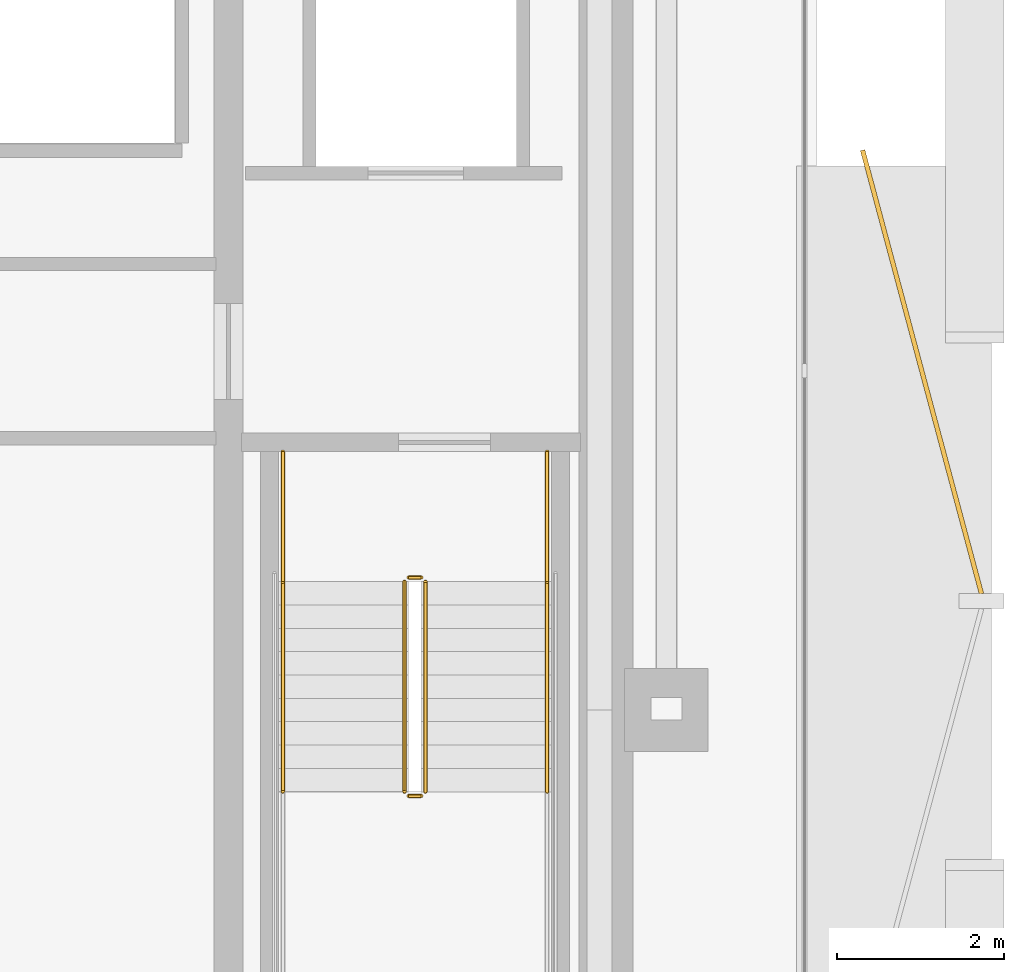
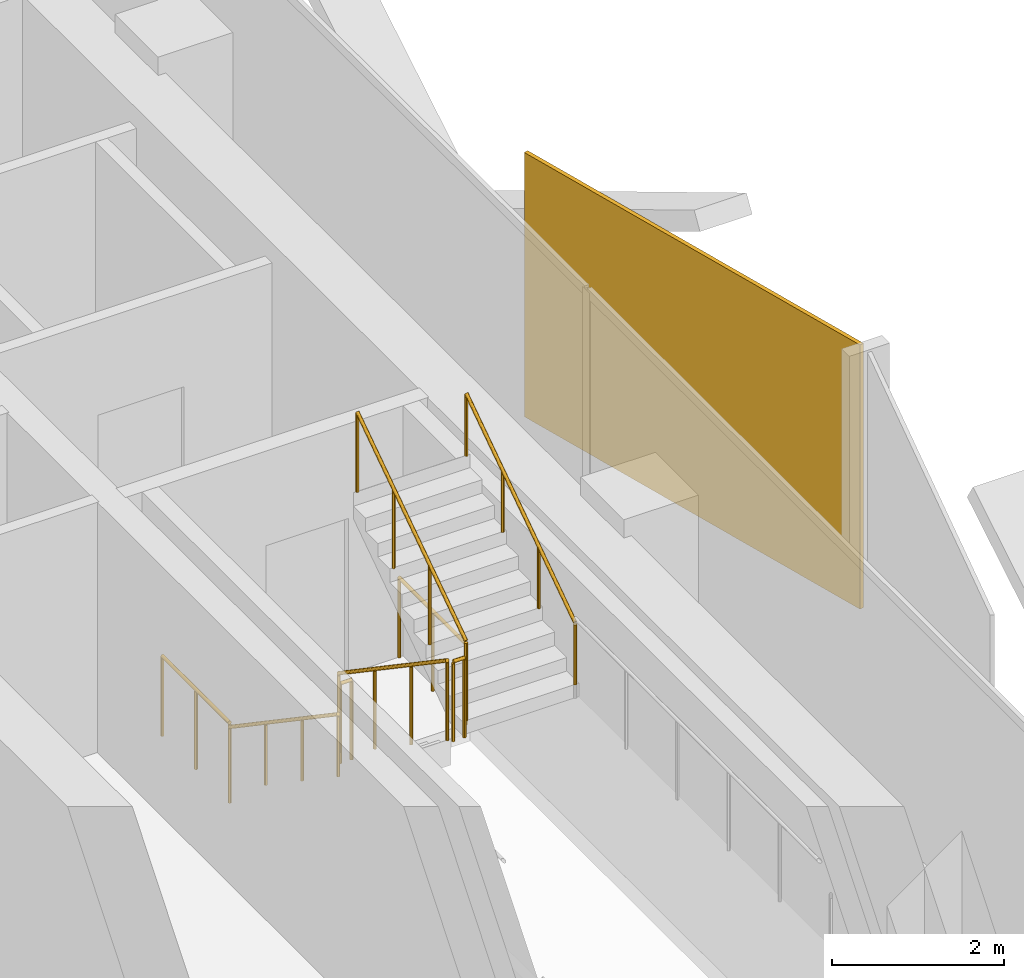
# One storey, part 15 of 17: 8 railings, 1 covering.
"""IFC4 building model written with IfcOpenShell, lengths in metres."""

from ifc_helpers import new_model, si_unit, direction, frame, origin, origin_2d, place, context, subcontext, project, spatial, rectangle, circle, extrude, material, layer, layer_set, type_object, element, save


model = new_model("IFC4")

# Units and contexts
model_context = context("Model", 3, precision=1e-05, world=origin(), true_north=direction((0.0, 1.0)))
body_context = subcontext(model_context, "Body", "Model", "MODEL_VIEW")
ifc_project = project(units=[si_unit("LENGTHUNIT", "METRE"), si_unit("AREAUNIT", "SQUARE_METRE"), si_unit("VOLUMEUNIT", "CUBIC_METRE"), si_unit("PLANEANGLEUNIT", "RADIAN"), si_unit("MASSUNIT", "GRAM", prefix="KILO")], contexts=[model_context])

# Site, building, storey
site_placement = place(None, origin())
site = spatial("IfcSite", under=ifc_project, at=site_placement, CompositionType="ELEMENT")
building_placement = place(site_placement, origin())
building = spatial("IfcBuilding", under=site, at=building_placement, Name="Khairoan Windgate Tower", CompositionType="ELEMENT")
storey_placement = place(building_placement, frame((0.0, 0.0, 195.39990234375)))
storey = spatial("IfcBuildingStorey", under=building, at=storey_placement, Name="L45", CompositionType="ELEMENT", Elevation=195.39990234375)

# Covering
ifc_material_1 = material(Name="Anodised Bronze Aluminium 6063-T6", Category="aluminium")
ifc_layer = layer(ifc_material_1, 0.054931640625, Name="Anodised Bronze Aluminium 6063-T6")
ifc_layer_set = layer_set([ifc_layer], Name="Anodised Bronze Aluminium 6063-T6")
covering_type = type_object("IfcCoveringType", Name="Perforated Bronze-Ceramic Folded Solar Screen Cladding BSC-1", PredefinedType="CLADDING", material=ifc_layer_set)
covering_placement = place(storey_placement, frame((23.8671875, -6.74560546875, -0.10009765625), z_axis=(0.0, 0.0, 1.0), x_axis=(0.258819045103, -0.965925826289, 0.0)))
element("IfcCovering", 1, at=covering_placement, inside=storey, type_object=covering_type, Name="L45 Folded Bronze Solar Screen Facet 304L", PredefinedType="CLADDING", context=body_context, shape_type="SweptSolid", body=[
    extrude(rectangle(XDim=5.507080078125, YDim=0.054931640625, at=origin_2d()), origin(), (0.0, 0.0, 1.0), 3.739990234375),
])

# Railings
ifc_material_2 = material(Name="Anodised Bronze Aluminium 6063-T6", Category="aluminium")
railing_type_1 = type_object("IfcRailingType", Name="Stair Wall Handrail SHR-900", PredefinedType="HANDRAIL", material=ifc_material_2)
railing_1_placement = place(storey_placement, frame((16.199951171875, -9.260009765625, 0.190185546875)))
element("IfcRailing", 2, at=railing_1_placement, inside=storey, type_object=railing_type_1, Name="L45 ST1 stair handrail 1", PredefinedType="HANDRAIL", context=body_context, shape_type="SweptSolid", body=[
    extrude(circle(Radius=0.02392578125, at=origin_2d()), frame((0.0, 0.0, 0.8759765625), z_axis=(0.0, -0.827483756001, 0.561489655786), x_axis=(1.0, 0.0, 0.0)), (0.0, 0.0, 1.0), 3.04541015625),
    extrude(circle(Radius=0.02099609375, at=origin_2d()), origin(), (0.0, 0.0, 1.0), 0.851806640625),
    extrude(circle(Radius=0.02099609375, at=origin_2d()), frame((0.0, -0.840087890625, 0.570068359375)), (0.0, 0.0, 1.0), 0.851806640625),
    extrude(circle(Radius=0.02099609375, at=origin_2d()), frame((0.0, -1.679931640625, 1.139892578125)), (0.0, 0.0, 1.0), 0.851806640625),
    extrude(circle(Radius=0.02099609375, at=origin_2d()), frame((0.0, -2.52001953125, 1.7099609375)), (0.0, 0.0, 1.0), 0.851806640625),
])
railing_2_placement = place(storey_placement, frame((19.3701171875, -11.780029296875, 2.090087890625)))
element("IfcRailing", 3, at=railing_2_placement, inside=storey, type_object=railing_type_1, Name="L45 ST1 stair handrail 2", PredefinedType="HANDRAIL", context=body_context, shape_type="SweptSolid", body=[
    extrude(circle(Radius=0.02392578125, at=origin_2d()), frame((0.0, 0.0, 0.8759765625), z_axis=(0.0, 0.827483756001, 0.561489655786), x_axis=(-1.0, 0.0, 0.0)), (0.0, 0.0, 1.0), 3.04541015625),
    extrude(circle(Radius=0.02099609375, at=origin_2d()), origin(), (0.0, 0.0, 1.0), 0.851806640625),
    extrude(circle(Radius=0.02099609375, at=origin_2d()), frame((0.0, 0.840087890625, 0.570068359375)), (0.0, 0.0, 1.0), 0.851806640625),
    extrude(circle(Radius=0.02099609375, at=origin_2d()), frame((0.0, 1.679931640625, 1.139892578125)), (0.0, 0.0, 1.0), 0.851806640625),
    extrude(circle(Radius=0.02099609375, at=origin_2d()), frame((0.0, 2.52001953125, 1.7099609375)), (0.0, 0.0, 1.0), 0.851806640625),
])
ifc_material_3 = material(Name="Steel S355", Category="steel")
railing_type_2 = type_object("IfcRailingType", Name="Stairwell Safety Guardrail SGR-1150", PredefinedType="GUARDRAIL", material=ifc_material_3)
railing_3_placement = place(storey_placement, frame((17.659912109375, -9.260009765625, 0.190185546875)))
element("IfcRailing", 4, at=railing_3_placement, inside=storey, type_object=railing_type_2, Name="L45 ST1 stair guard 1", PredefinedType="GUARDRAIL", context=body_context, shape_type="SweptSolid", body=[
    extrude(circle(Radius=0.02392578125, at=origin_2d()), frame((0.0, 0.0, 1.1259765625), z_axis=(0.0, -0.827483756001, 0.561489655786), x_axis=(1.0, 0.0, 0.0)), (0.0, 0.0, 1.0), 3.04541015625),
    extrude(circle(Radius=0.02099609375, at=origin_2d()), origin(), (0.0, 0.0, 1.0), 1.101806640625),
    extrude(circle(Radius=0.02099609375, at=origin_2d()), frame((0.0, -0.840087890625, 0.570068359375)), (0.0, 0.0, 1.0), 1.101806640625),
    extrude(circle(Radius=0.02099609375, at=origin_2d()), frame((0.0, -1.679931640625, 1.139892578125)), (0.0, 0.0, 1.0), 1.101806640625),
    extrude(circle(Radius=0.02099609375, at=origin_2d()), frame((0.0, -2.52001953125, 1.7099609375)), (0.0, 0.0, 1.0), 1.101806640625),
])
railing_4_placement = place(storey_placement, frame((17.7099609375, -11.830078125, 1.900146484375)))
element("IfcRailing", 5, at=railing_4_placement, inside=storey, type_object=railing_type_2, Name="L45 ST1 stair guard 2", PredefinedType="GUARDRAIL", context=body_context, shape_type="SweptSolid", body=[
    extrude(circle(Radius=0.02392578125, at=origin_2d()), frame((0.0, 0.0, 1.1259765625), z_axis=(1.0, 0.0, 0.0), x_axis=(0.0, 1.0, 0.0)), (0.0, 0.0, 1.0), 0.150146484375),
    extrude(circle(Radius=0.02099609375, at=origin_2d()), origin(), (0.0, 0.0, 1.0), 1.101806640625),
    extrude(circle(Radius=0.02099609375, at=origin_2d()), frame((0.150146484375, 0.0, 0.0)), (0.0, 0.0, 1.0), 1.101806640625),
])
railing_5_placement = place(storey_placement, frame((17.909912109375, -11.780029296875, 2.090087890625)))
element("IfcRailing", 6, at=railing_5_placement, inside=storey, type_object=railing_type_2, Name="L45 ST1 stair guard 6", PredefinedType="GUARDRAIL", context=body_context, shape_type="SweptSolid", body=[
    extrude(circle(Radius=0.02392578125, at=origin_2d()), frame((0.0, 0.0, 1.1259765625), z_axis=(0.0, 0.827483756001, 0.561489655786), x_axis=(-1.0, 0.0, 0.0)), (0.0, 0.0, 1.0), 3.04541015625),
    extrude(circle(Radius=0.02099609375, at=origin_2d()), origin(), (0.0, 0.0, 1.0), 1.101806640625),
    extrude(circle(Radius=0.02099609375, at=origin_2d()), frame((0.0, 0.840087890625, 0.570068359375)), (0.0, 0.0, 1.0), 1.101806640625),
    extrude(circle(Radius=0.02099609375, at=origin_2d()), frame((0.0, 1.679931640625, 1.139892578125)), (0.0, 0.0, 1.0), 1.101806640625),
    extrude(circle(Radius=0.02099609375, at=origin_2d()), frame((0.0, 2.52001953125, 1.7099609375)), (0.0, 0.0, 1.0), 1.101806640625),
])
railing_6_placement = place(storey_placement, frame((17.7099609375, -9.2099609375, 0.0)))
element("IfcRailing", 7, at=railing_6_placement, inside=storey, type_object=railing_type_2, Name="L45 ST1 stair guard 7", PredefinedType="GUARDRAIL", context=body_context, shape_type="SweptSolid", body=[
    extrude(circle(Radius=0.02392578125, at=origin_2d()), frame((0.0, 0.0, 1.1259765625), z_axis=(1.0, 0.0, 0.0), x_axis=(0.0, 1.0, 0.0)), (0.0, 0.0, 1.0), 0.150146484375),
    extrude(circle(Radius=0.02099609375, at=origin_2d()), origin(), (0.0, 0.0, 1.0), 1.101806640625),
    extrude(circle(Radius=0.02099609375, at=origin_2d()), frame((0.150146484375, 0.0, 0.0)), (0.0, 0.0, 1.0), 1.101806640625),
])
for number, where, name in (
    (8, (16.199951171875, -7.699951171875, 0.0), "L45 ST1 stair guard 8"),
    (9, (19.3701171875, -7.699951171875, 0.0), "L45 ST1 stair guard 9"),
):
    element("IfcRailing", number, at=place(storey_placement, frame(where)), inside=storey, type_object=railing_type_2, Name=name, PredefinedType="GUARDRAIL", context=body_context, shape_type="SweptSolid", body=[
        extrude(circle(Radius=0.02392578125, at=origin_2d()), frame((0.0, 0.0, 1.1259765625), z_axis=(0.0, -1.0, 0.0), x_axis=(1.0, 0.0, 0.0)), (0.0, 0.0, 1.0), 1.56005859375),
        extrude(circle(Radius=0.02099609375, at=origin_2d()), origin(), (0.0, 0.0, 1.0), 1.101806640625),
        extrude(circle(Radius=0.02099609375, at=origin_2d()), frame((0.0, -0.780029296875, 0.0)), (0.0, 0.0, 1.0), 1.101806640625),
        extrude(circle(Radius=0.02099609375, at=origin_2d()), frame((0.0, -1.56005859375, 0.0)), (0.0, 0.0, 1.0), 1.101806640625),
    ])

save(model, "model.ifc")
